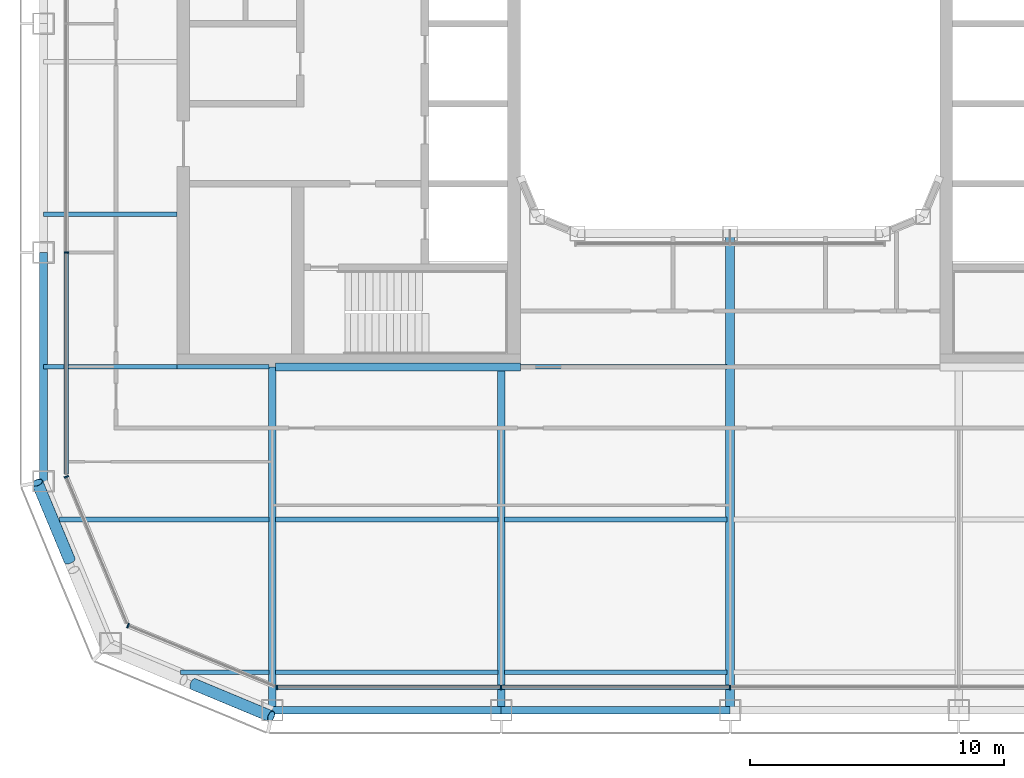
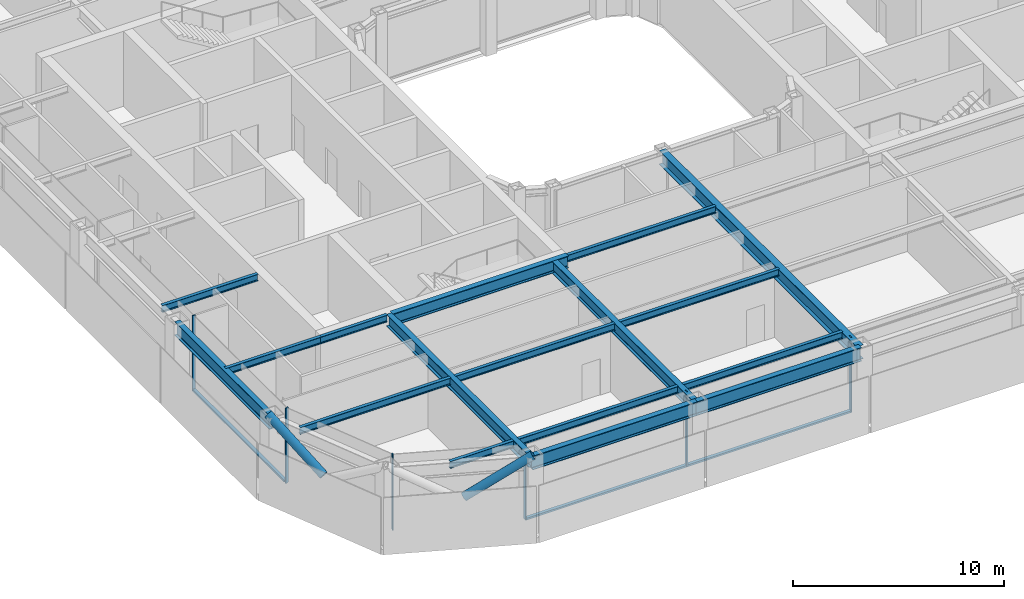
# One storey, part 2 of 23: 17 beams, 11 members, 4 elements without a shape of their own.
"""IFC4 building model written with IfcOpenShell, lengths in metres."""

from ifc_helpers import new_model, si_unit, direction, frame, origin, origin_2d, place, context, subcontext, project, spatial, rectangle, hollow_circle, i_section, extrude, material, layer, layer_set, material_profile, profile_set, type_object, element, aggregate, save


model = new_model("IFC4")

# Units and contexts
model_context = context("Model", 3, precision=1e-05, world=origin(), true_north=direction((0.0, 1.0)))
body_context = subcontext(model_context, "Body", "Model", "MODEL_VIEW")
ifc_project = project(units=[si_unit("LENGTHUNIT", "METRE"), si_unit("AREAUNIT", "SQUARE_METRE"), si_unit("VOLUMEUNIT", "CUBIC_METRE"), si_unit("PLANEANGLEUNIT", "RADIAN"), si_unit("MASSUNIT", "GRAM", prefix="KILO")], contexts=[model_context])

# Site, building, storey
site_placement = place(None, origin())
site = spatial("IfcSite", under=ifc_project, at=site_placement, CompositionType="ELEMENT")
building_placement = place(site_placement, origin())
building = spatial("IfcBuilding", under=site, at=building_placement, Name="Siwar Civic Tower", CompositionType="ELEMENT")
storey_placement = place(building_placement, frame((0.0, 0.0, 206.199951171875)))
storey = spatial("IfcBuildingStorey", under=building, at=storey_placement, Name="L44", CompositionType="ELEMENT", Elevation=206.199951171875)

# Curtain wall, members
ifc_material_1 = material(Name="Aluminium and glass", Category="aluminium")
ifc_layer_1 = layer(ifc_material_1, 0.179931640625)
ifc_layer_set_1 = layer_set([ifc_layer_1], Name="Aluminium and glass")
curtain_wall_type_1 = type_object("IfcCurtainWallType", Name="ENV-CW-C", PredefinedType="NOTDEFINED", material=ifc_layer_set_1)
curtain_wall_1_placement = place(storey_placement, origin())
curtain_wall_1 = element("IfcCurtainWall", 1, at=curtain_wall_1_placement, inside=storey, type_object=curtain_wall_type_1, Name="Curtain wall C S", PredefinedType="NOTDEFINED")
ifc_material_2 = material(Name="Aluminium 6063-T6", Category="aluminium")
ifc_material_profile_1 = material_profile(ifc_material_2, rectangle(XDim=0.179931640625, YDim=0.06005859375, at=origin_2d()), Name="AL 180x60")
ifc_profile_set_1 = profile_set([ifc_material_profile_1], Name="Aluminium 6063-T6")
member_type_1 = type_object("IfcMemberType", Name="ENV-MULLION-C", PredefinedType="MULLION", material=ifc_profile_set_1)
member_1_placement = place(storey_placement, frame((-17.821044921875, -26.10009765625, 0.0), z_axis=(0.0, 0.0, 1.0), x_axis=(0.0, 1.0, 0.0)))
member_1 = element("IfcMember", 2, at=member_1_placement, type_object=member_type_1, Name="Mullion C S 1", PredefinedType="MULLION", context=body_context, shape_type="SweptSolid", body=[
    extrude(rectangle(XDim=0.179931640625, YDim=0.06005859375, at=origin_2d()), origin(), (0.0, 0.0, 1.0), 4.35009765625),
])
member_2_placement = place(storey_placement, frame((-9.0, -26.10009765625, 0.0), z_axis=(0.0, 0.0, 1.0), x_axis=(0.0, 1.0, 0.0)))
member_2 = element("IfcMember", 3, at=member_2_placement, type_object=member_type_1, Name="Mullion C S 2", PredefinedType="MULLION", context=body_context, shape_type="SweptSolid", body=[
    extrude(rectangle(XDim=0.179931640625, YDim=0.06005859375, at=origin_2d()), origin(), (0.0, 0.0, 1.0), 4.35009765625),
])
member_3_placement = place(storey_placement, frame((0.0, -26.10009765625, 0.0), z_axis=(0.0, 0.0, 1.0), x_axis=(0.0, 1.0, 0.0)))
member_3 = element("IfcMember", 4, at=member_3_placement, type_object=member_type_1, Name="Mullion C S 3", PredefinedType="MULLION", context=body_context, shape_type="SweptSolid", body=[
    extrude(rectangle(XDim=0.179931640625, YDim=0.06005859375, at=origin_2d()), origin(), (0.0, 0.0, 1.0), 4.35009765625),
])

# Curtain wall, member
curtain_wall_2_placement = place(storey_placement, origin())
curtain_wall_2 = element("IfcCurtainWall", 5, at=curtain_wall_2_placement, inside=storey, type_object=curtain_wall_type_1, Name="Curtain wall C W", PredefinedType="NOTDEFINED")
member_4_placement = place(storey_placement, frame((-26.10009765625, -9.0, 0.0), z_axis=(0.0, 0.0, 1.0), x_axis=(1.0, 0.0, 0.0)))
member_4 = element("IfcMember", 6, at=member_4_placement, type_object=member_type_1, Name="Mullion C W 4", PredefinedType="MULLION", context=body_context, shape_type="SweptSolid", body=[
    extrude(rectangle(XDim=0.179931640625, YDim=0.06005859375, at=origin_2d()), origin(), (0.0, 0.0, 1.0), 4.35009765625),
])

ifc_material_3 = material(Name="Aluminium clad insulated panel", Category="aluminium")
ifc_layer_2 = layer(ifc_material_3, 0.179931640625)
ifc_layer_set_2 = layer_set([ifc_layer_2], Name="Aluminium clad insulated panel")
curtain_wall_type_2 = type_object("IfcCurtainWallType", Name="ENV-CW-CX", PredefinedType="NOTDEFINED", material=ifc_layer_set_2)
curtain_wall_3_placement = place(storey_placement, origin())
curtain_wall_3 = element("IfcCurtainWall", 7, at=curtain_wall_3_placement, inside=storey, type_object=curtain_wall_type_2, Name="Curtain wall C SW1", PredefinedType="NOTDEFINED")
member_5_placement = place(storey_placement, frame((-26.10009765625, -17.821044921875, 0.0), z_axis=(0.0, 0.0, 1.0), x_axis=(0.923879532511, 0.382683432365, 0.0)))
member_5 = element("IfcMember", 8, at=member_5_placement, type_object=member_type_1, Name="Mullion C SW1 1", PredefinedType="MULLION", context=body_context, shape_type="SweptSolid", body=[
    extrude(rectangle(XDim=0.179931640625, YDim=0.06005859375, at=origin_2d()), origin(), (0.0, 0.0, 1.0), 4.35009765625),
])
aggregate(curtain_wall_3, [member_5])

curtain_wall_4_placement = place(storey_placement, origin())
curtain_wall_4 = element("IfcCurtainWall", 9, at=curtain_wall_4_placement, inside=storey, type_object=curtain_wall_type_2, Name="Curtain wall C SW2", PredefinedType="NOTDEFINED")
member_6_placement = place(storey_placement, frame((-23.675048828125, -23.675048828125, 0.0), z_axis=(0.0, 0.0, 1.0), x_axis=(0.382683432365, 0.923879532511, 0.0)))
member_6 = element("IfcMember", 10, at=member_6_placement, type_object=member_type_1, Name="Mullion C SW2 1", PredefinedType="MULLION", context=body_context, shape_type="SweptSolid", body=[
    extrude(rectangle(XDim=0.179931640625, YDim=0.06005859375, at=origin_2d()), origin(), (0.0, 0.0, 1.0), 4.35009765625),
])
aggregate(curtain_wall_4, [member_6])

# Member
ifc_material_4 = material(Name="Aluminium 6063-T6", Category="aluminium")
ifc_material_profile_2 = material_profile(ifc_material_4, rectangle(XDim=0.179931640625, YDim=0.10009765625, at=origin_2d()), Name="AL 180x100")
ifc_profile_set_2 = profile_set([ifc_material_profile_2], Name="Aluminium 6063-T6")
member_type_2 = type_object("IfcMemberType", Name="ENV-TRANSOM-C", PredefinedType="USERDEFINED", material=ifc_profile_set_2)
member_7_placement = place(storey_placement, frame((-17.791015625, -26.10009765625, 0.050048828125), z_axis=(1.0, 0.0, 0.0), x_axis=(0.0, 1.0, 0.0)))
member_7 = element("IfcMember", 11, at=member_7_placement, type_object=member_type_2, Name="Transom C S 1", ObjectType="TRANSOM", PredefinedType="USERDEFINED", context=body_context, shape_type="SweptSolid", body=[
    extrude(rectangle(XDim=0.179931640625, YDim=0.10009765625, at=origin_2d()), origin(), (0.0, 0.0, 1.0), 8.760986328125),
])

member_8_placement = place(storey_placement, frame((-8.969970703125, -26.10009765625, 0.050048828125), z_axis=(1.0, 0.0, 0.0), x_axis=(0.0, 1.0, 0.0)))
member_8 = element("IfcMember", 12, at=member_8_placement, type_object=member_type_2, Name="Transom C S 2", ObjectType="TRANSOM", PredefinedType="USERDEFINED", context=body_context, shape_type="SweptSolid", body=[
    extrude(rectangle(XDim=0.179931640625, YDim=0.10009765625, at=origin_2d()), origin(), (0.0, 0.0, 1.0), 8.93994140625),
])

aggregate(curtain_wall_1, [member_1, member_2, member_3, member_7, member_8])

member_9_placement = place(storey_placement, frame((-26.10009765625, -9.030029296875, 0.050048828125), z_axis=(0.0, -1.0, 0.0), x_axis=(1.0, 0.0, 0.0)))
member_9 = element("IfcMember", 13, at=member_9_placement, type_object=member_type_2, Name="Transom C W 4", ObjectType="TRANSOM", PredefinedType="USERDEFINED", context=body_context, shape_type="SweptSolid", body=[
    extrude(rectangle(XDim=0.179931640625, YDim=0.10009765625, at=origin_2d()), origin(), (0.0, 0.0, 1.0), 8.68603515625),
])

aggregate(curtain_wall_2, [member_4, member_9])

# Members
ifc_material_5 = material(Name="Steel S355", Category="steel")
ifc_material_profile_3 = material_profile(ifc_material_5, hollow_circle(Radius=0.228515625, WallThickness=0.02001953125, at=origin_2d()), Name="CHS457x20")
ifc_profile_set_3 = profile_set([ifc_material_profile_3], Name="Steel S355")
member_type_3 = type_object("IfcMemberType", Name="STR-BR-CHS457x20", PredefinedType="BRACE", material=ifc_profile_set_3)
for number, where, z_axis, x_axis, name in (
    (14, (-21.10302734375, -25.972900390625, 2.383056640625), (0.777572496853, -0.323895306243, 0.538955325357), (0.38452107079, 0.92311621485, 0.0), "L44/brc/CSW1-4-0-3"),
    (15, (-25.972900390625, -21.10302734375, 2.383056640625), (-0.323895306243, 0.777572496853, 0.538955325357), (-0.92311621485, -0.38452107079, 0.0), "L44/brc/CSW1-4-0-5"),
):
    element("IfcMember", number, at=place(storey_placement, frame(where, z_axis=z_axis, x_axis=x_axis)), inside=storey, type_object=member_type_3, Name=name, PredefinedType="BRACE", context=body_context, shape_type="SweptSolid", body=[
        extrude(hollow_circle(Radius=0.228515625, WallThickness=0.02001953125, at=origin_2d()), origin(), (0.0, 0.0, 1.0), 3.927978515625),
    ])

# Beams
ifc_material_6 = material(Name="Steel S355", Category="steel")
ifc_material_profile_4 = material_profile(ifc_material_6, i_section(OverallWidth=0.179931640625, OverallDepth=0.39990234375, WebThickness=0.008544921875, FlangeThickness=0.013427734375, FilletRadius=0.02099609375, at=origin_2d()), Name="IPE400")
ifc_profile_set_4 = profile_set([ifc_material_profile_4], Name="Steel S355")
beam_type_1 = type_object("IfcBeamType", Name="STR-FB-IPE400", PredefinedType="JOIST", material=ifc_profile_set_4)
beam_1_placement = place(storey_placement, frame((-21.621337890625, -25.5, 4.150146484375), z_axis=(1.0, 0.0, 0.0), x_axis=(0.0, 1.0, 0.0)))
element("IfcBeam", 16, at=beam_1_placement, inside=storey, type_object=beam_type_1, Name="L44/bm/F001", PredefinedType="JOIST", context=body_context, shape_type="SweptSolid", body=[
    extrude(i_section(OverallWidth=0.179931640625, OverallDepth=0.39990234375, WebThickness=0.008544921875, FlangeThickness=0.013427734375, FilletRadius=0.02099609375, at=origin_2d()), origin(), (0.0, 0.0, 1.0), 3.491455078125),
])
for number, where, z_axis, x_axis, name in (
    (17, (-17.8701171875, -25.5, 4.150146484375), (1.0, 0.0, 0.0), (0.0, 1.0, 0.0), "L44/bm/F002"),
    (18, (-8.8701171875, -25.5, 4.150146484375), (1.0, 0.0, 0.0), (0.0, 1.0, 0.0), "L44/bm/F003"),
):
    element("IfcBeam", number, at=place(storey_placement, frame(where, z_axis=z_axis, x_axis=x_axis)), inside=storey, type_object=beam_type_1, Name=name, PredefinedType="JOIST", context=body_context, shape_type="SweptSolid", body=[
        extrude(i_section(OverallWidth=0.179931640625, OverallDepth=0.39990234375, WebThickness=0.008544921875, FlangeThickness=0.013427734375, FilletRadius=0.02099609375, at=origin_2d()), origin(), (0.0, 0.0, 1.0), 8.740234375),
    ])
beam_2_placement = place(storey_placement, frame((-26.378662109375, -19.5, 4.150146484375), z_axis=(1.0, 0.0, 0.0), x_axis=(0.0, 1.0, 0.0)))
element("IfcBeam", 19, at=beam_2_placement, inside=storey, type_object=beam_type_1, Name="L44/bm/F007", PredefinedType="JOIST", context=body_context, shape_type="SweptSolid", body=[
    extrude(i_section(OverallWidth=0.179931640625, OverallDepth=0.39990234375, WebThickness=0.008544921875, FlangeThickness=0.013427734375, FilletRadius=0.02099609375, at=origin_2d()), origin(), (0.0, 0.0, 1.0), 8.248779296875),
])
for number, where, z_axis, x_axis, name in (
    (20, (-17.8701171875, -19.5, 4.150146484375), (1.0, 0.0, 0.0), (0.0, 1.0, 0.0), "L44/bm/F008"),
    (21, (-8.8701171875, -19.5, 4.150146484375), (1.0, 0.0, 0.0), (0.0, 1.0, 0.0), "L44/bm/F009"),
):
    element("IfcBeam", number, at=place(storey_placement, frame(where, z_axis=z_axis, x_axis=x_axis)), inside=storey, type_object=beam_type_1, Name=name, PredefinedType="JOIST", context=body_context, shape_type="SweptSolid", body=[
        extrude(i_section(OverallWidth=0.179931640625, OverallDepth=0.39990234375, WebThickness=0.008544921875, FlangeThickness=0.013427734375, FilletRadius=0.02099609375, at=origin_2d()), origin(), (0.0, 0.0, 1.0), 8.740234375),
    ])
beam_3_placement = place(storey_placement, frame((-27.0, -13.5, 4.150146484375), z_axis=(1.0, 0.0, 0.0), x_axis=(0.0, 1.0, 0.0)))
element("IfcBeam", 22, at=beam_3_placement, inside=storey, type_object=beam_type_1, Name="L44/bm/F013", PredefinedType="JOIST", context=body_context, shape_type="SweptSolid", body=[
    extrude(i_section(OverallWidth=0.179931640625, OverallDepth=0.39990234375, WebThickness=0.008544921875, FlangeThickness=0.013427734375, FilletRadius=0.02099609375, at=origin_2d()), origin(), (0.0, 0.0, 1.0), 5.25),
])
beam_4_placement = place(storey_placement, frame((-21.75, -13.5, 4.150146484375), z_axis=(1.0, 0.0, 0.0), x_axis=(0.0, 1.0, 0.0)))
element("IfcBeam", 23, at=beam_4_placement, inside=storey, type_object=beam_type_1, Name="L44/bm/F014", PredefinedType="JOIST", context=body_context, shape_type="SweptSolid", body=[
    extrude(i_section(OverallWidth=0.179931640625, OverallDepth=0.39990234375, WebThickness=0.008544921875, FlangeThickness=0.013427734375, FilletRadius=0.02099609375, at=origin_2d()), origin(), (0.0, 0.0, 1.0), 3.6201171875),
])
beam_5_placement = place(storey_placement, frame((-8.25, -13.5, 4.150146484375), z_axis=(1.0, 0.0, 0.0), x_axis=(0.0, 1.0, 0.0)))
element("IfcBeam", 24, at=beam_5_placement, inside=storey, type_object=beam_type_1, Name="L44/bm/F016", PredefinedType="JOIST", context=body_context, shape_type="SweptSolid", body=[
    extrude(i_section(OverallWidth=0.179931640625, OverallDepth=0.39990234375, WebThickness=0.008544921875, FlangeThickness=0.013427734375, FilletRadius=0.02099609375, at=origin_2d()), origin(), (0.0, 0.0, 1.0), 8.1201171875),
])
beam_6_placement = place(storey_placement, frame((-27.0, -7.5, 4.150146484375), z_axis=(1.0, 0.0, 0.0), x_axis=(0.0, 1.0, 0.0)))
element("IfcBeam", 25, at=beam_6_placement, inside=storey, type_object=beam_type_1, Name="L44/bm/F021", PredefinedType="JOIST", context=body_context, shape_type="SweptSolid", body=[
    extrude(i_section(OverallWidth=0.179931640625, OverallDepth=0.39990234375, WebThickness=0.008544921875, FlangeThickness=0.013427734375, FilletRadius=0.02099609375, at=origin_2d()), origin(), (0.0, 0.0, 1.0), 5.25),
])
ifc_material_7 = material(Name="Steel S355", Category="steel")
ifc_material_profile_5 = material_profile(ifc_material_7, i_section(OverallWidth=0.300048828125, OverallDepth=0.699951171875, WebThickness=0.01708984375, FlangeThickness=0.031982421875, FilletRadius=0.027099609375, at=origin_2d()), Name="HEB700")
ifc_profile_set_5 = profile_set([ifc_material_profile_5], Name="Steel S355")
beam_type_2 = type_object("IfcBeamType", Name="STR-PG-HEB700", PredefinedType="BEAM", material=ifc_profile_set_5)
for number, where, z_axis, x_axis, name in (
    (26, (-18.0, -27.0, 4.0), (0.0, 1.0, 0.0), (-1.0, 0.0, 0.0), "L44/bm/G01"),
    (27, (-9.0, -27.0, 4.0), (0.0, 1.0, 0.0), (-1.0, 0.0, 0.0), "L44/bm/G03"),
):
    element("IfcBeam", number, at=place(storey_placement, frame(where, z_axis=z_axis, x_axis=x_axis)), inside=storey, type_object=beam_type_2, Name=name, PredefinedType="BEAM", context=body_context, shape_type="SweptSolid", body=[
        extrude(i_section(OverallWidth=0.300048828125, OverallDepth=0.699951171875, WebThickness=0.01708984375, FlangeThickness=0.031982421875, FilletRadius=0.027099609375, at=origin_2d()), origin(), (0.0, 0.0, 1.0), 13.5),
    ])
beam_7_placement = place(storey_placement, frame((-17.8701171875, -13.5, 4.0), z_axis=(1.0, 0.0, 0.0), x_axis=(0.0, 1.0, 0.0)))
element("IfcBeam", 28, at=beam_7_placement, inside=storey, type_object=beam_type_2, Name="L44/bm/F015", PredefinedType="BEAM", context=body_context, shape_type="SweptSolid", body=[
    extrude(i_section(OverallWidth=0.300048828125, OverallDepth=0.699951171875, WebThickness=0.01708984375, FlangeThickness=0.031982421875, FilletRadius=0.027099609375, at=origin_2d()), origin(), (0.0, 0.0, 1.0), 9.6201171875),
])
ifc_material_8 = material(Name="Steel S355", Category="steel")
ifc_material_profile_6 = material_profile(ifc_material_8, i_section(OverallWidth=0.360107421875, OverallDepth=0.800048828125, WebThickness=0.013916015625, FlangeThickness=0.031982421875, at=origin_2d()), Name="PG800x360x14x32")
ifc_profile_set_6 = profile_set([ifc_material_profile_6], Name="Steel S355")
beam_type_3 = type_object("IfcBeamType", Name="STR-PG-PG800x360x14x32", PredefinedType="BEAM", material=ifc_profile_set_6)
beam_8_placement = place(storey_placement, frame((0.0, -27.0, 3.949951171875), z_axis=(0.0, 1.0, 0.0), x_axis=(-1.0, 0.0, 0.0)))
element("IfcBeam", 29, at=beam_8_placement, inside=storey, type_object=beam_type_3, Name="L44/bm/G05", PredefinedType="BEAM", context=body_context, shape_type="SweptSolid", body=[
    extrude(i_section(OverallWidth=0.360107421875, OverallDepth=0.800048828125, WebThickness=0.013916015625, FlangeThickness=0.031982421875, at=origin_2d()), origin(), (0.0, 0.0, 1.0), 18.75),
])
ifc_material_9 = material(Name="Steel S355", Category="steel")
ifc_material_profile_7 = material_profile(ifc_material_9, i_section(OverallWidth=0.300048828125, OverallDepth=0.800048828125, WebThickness=0.017578125, FlangeThickness=0.032958984375, FilletRadius=0.030029296875, at=origin_2d()), Name="HEB800")
ifc_profile_set_7 = profile_set([ifc_material_profile_7], Name="Steel S355")
beam_type_4 = type_object("IfcBeamType", Name="STR-SB-HEB800", PredefinedType="BEAM", material=ifc_profile_set_7)
for number, where, z_axis, x_axis, name in (
    (30, (-18.0, -27.0, 3.949951171875), (1.0, 0.0, 0.0), (0.0, 1.0, 0.0), "L44/bm/SS-0"),
    (31, (-9.0, -27.0, 3.949951171875), (1.0, 0.0, 0.0), (0.0, 1.0, 0.0), "L44/bm/SS-1"),
    (32, (-27.0, -9.0, 3.949951171875), (0.0, -1.0, 0.0), (1.0, 0.0, 0.0), "L44/bm/SW-3"),
):
    element("IfcBeam", number, at=place(storey_placement, frame(where, z_axis=z_axis, x_axis=x_axis)), inside=storey, type_object=beam_type_4, Name=name, PredefinedType="BEAM", context=body_context, shape_type="SweptSolid", body=[
        extrude(i_section(OverallWidth=0.300048828125, OverallDepth=0.800048828125, WebThickness=0.017578125, FlangeThickness=0.032958984375, FilletRadius=0.030029296875, at=origin_2d()), origin(), (0.0, 0.0, 1.0), 9.0),
    ])

save(model, "model.ifc")
